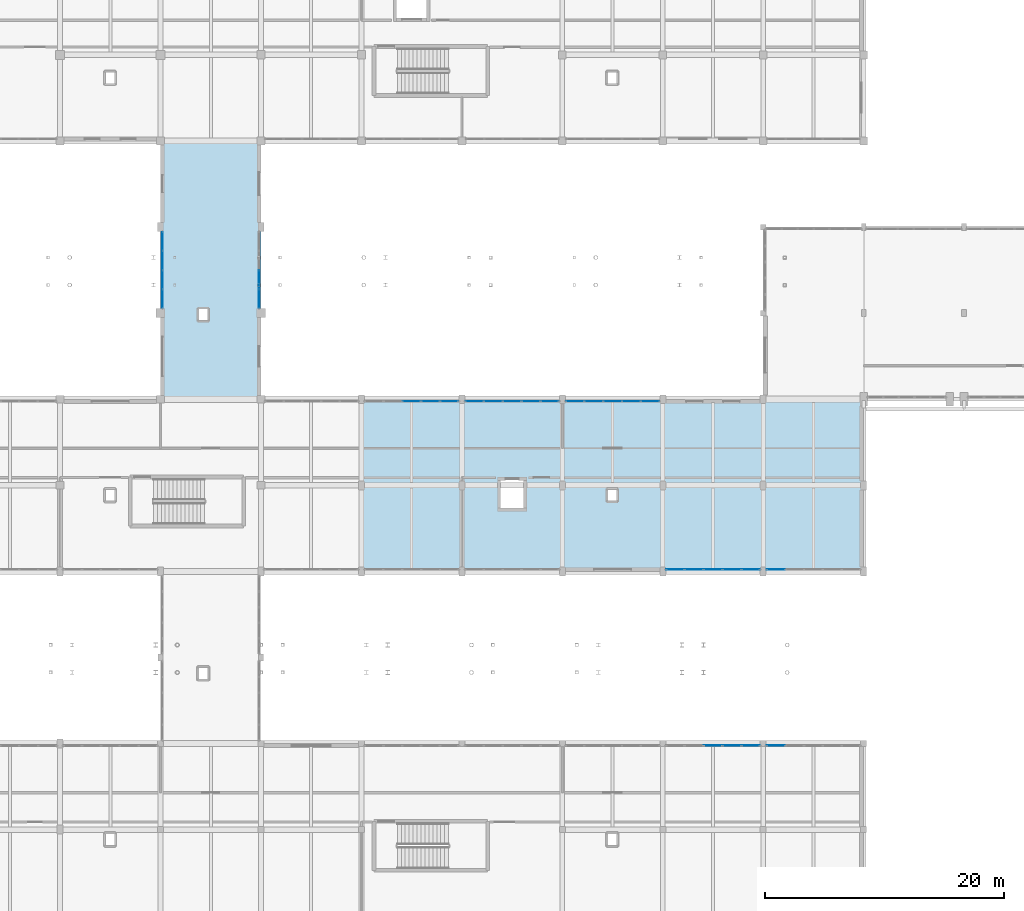
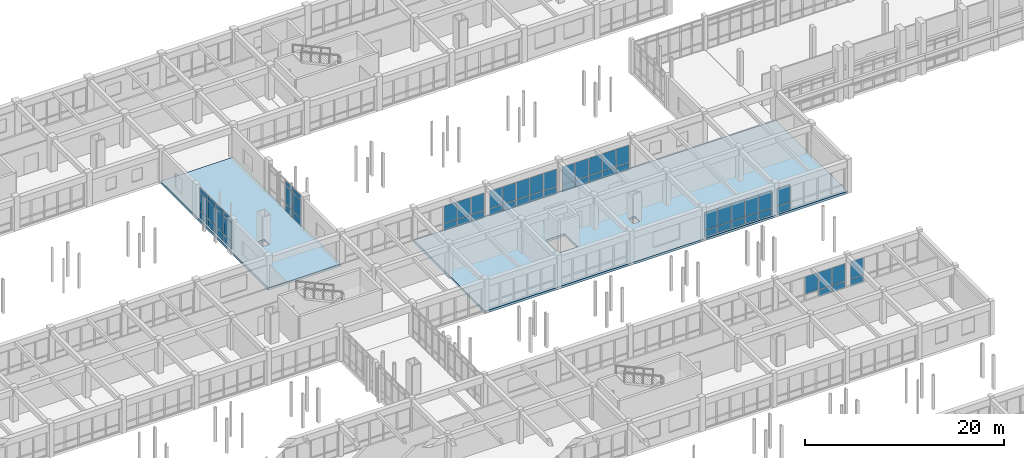
# One storey, part 112 of 147: 63 plates, 2 slabs, 9 elements without a shape of their own.
"""IFC4 building model written with IfcOpenShell, lengths in metres."""

import ifcopenshell
import ifcopenshell.guid

model = None  # the IFC model being written
_history = None  # IfcOwnerHistory: only IFC2X3 demands one
_inside = {}  # id of a spatial element -> (the spatial element, [elements in it])
_under = {}  # id of a project, library or spatial element -> (it, [spatial elements below it])
_declared = {}  # id of a project -> (the project, [libraries it declares])
_typed = {}  # id of a type object -> (the type object, [elements of that type])
_made_of = {}  # id of a material, layer set ... -> (it, [elements and type objects made of it])


def new_model(schema):
    """Start an empty IFC model of exactly this schema.

    Asked for "IFC4X3", IfcOpenShell would pick the latest addendum, in which some entities
    have other attributes; the version numbers below select the first issue.
    IFC2X3 requires an IfcOwnerHistory on every rooted entity: one is made here for all.
    """
    global model, _history
    if schema == "IFC4X3":
        model = ifcopenshell.file(schema_version=(4, 3, 0, 0))
    else:
        model = ifcopenshell.file(schema=schema)
    _inside.clear()
    _under.clear()
    _declared.clear()
    _typed.clear()
    _made_of.clear()
    _history = None
    if model.schema == "IFC2X3":
        org = make("IfcOrganization", Name="unknown")
        user = make(
            "IfcPersonAndOrganization",
            ThePerson=make("IfcPerson", FamilyName="unknown"),
            TheOrganization=org,
        )
        app = make(
            "IfcApplication",
            ApplicationDeveloper=org,
            Version="unknown",
            ApplicationFullName="unknown",
            ApplicationIdentifier="unknown",
        )
        _history = make(
            "IfcOwnerHistory",
            OwningUser=user,
            OwningApplication=app,
            ChangeAction="ADDED",
            CreationDate=0,
        )
    return model


def make(cls, **values):
    """One entity of the class cls with the attributes given. An attribute that is None is left unset."""
    return model.create_entity(
        cls, **{name: value for name, value in values.items() if value is not None}
    )


def rooted(cls, **values):
    """An entity with a GlobalId (a new one), such as an element, a storey or a relation."""
    return make(cls, GlobalId=ifcopenshell.guid.new(), OwnerHistory=_history, **values)


def si_unit(unit_type, name, prefix=None):
    """IfcSIUnit, for example si_unit("LENGTHUNIT", "METRE", prefix="MILLI")."""
    return make("IfcSIUnit", UnitType=unit_type, Prefix=prefix, Name=name)


def assignment(units):
    """IfcUnitAssignment: the units of a project."""
    return None if units is None else make("IfcUnitAssignment", Units=units)


def point(xyz):
    """IfcCartesianPoint."""
    return None if xyz is None else make("IfcCartesianPoint", Coordinates=xyz)


def direction(xyz):
    """IfcDirection."""
    return None if xyz is None else make("IfcDirection", DirectionRatios=xyz)


def frame(location, z_axis=None, x_axis=None):
    """IfcAxis2Placement3D, a coordinate frame: its origin and axes. An axis left out is left unset."""
    return make(
        "IfcAxis2Placement3D",
        Location=point(location),
        Axis=direction(z_axis),
        RefDirection=direction(x_axis),
    )


def frame_2d(location, x_axis=None):
    """IfcAxis2Placement2D, a coordinate frame in the plane: its origin and x axis."""
    return make(
        "IfcAxis2Placement2D", Location=point(location), RefDirection=direction(x_axis)
    )


def origin():
    """The frame at (0, 0, 0) with its axes left unset."""
    return frame((0.0, 0.0, 0.0))


def origin_2d():
    """The frame at (0, 0) in the plane with its x axis left unset."""
    return frame_2d((0.0, 0.0))


def place(relative_to, where):
    """IfcLocalPlacement: puts the frame where relative to a parent placement (None: the world)."""
    return make(
        "IfcLocalPlacement", PlacementRelTo=relative_to, RelativePlacement=where
    )


def context(
    kind, dimensions, precision=None, world=None, true_north=None, identifier=None
):
    """IfcGeometricRepresentationContext, for example the 3D "Model" context."""
    return make(
        "IfcGeometricRepresentationContext",
        ContextIdentifier=identifier,
        ContextType=kind,
        CoordinateSpaceDimension=dimensions,
        Precision=precision,
        WorldCoordinateSystem=world,
        TrueNorth=true_north,
    )


def subcontext(parent, identifier, kind, view, scale=None):
    """IfcGeometricRepresentationSubContext, for example "Body" below "Model"."""
    return make(
        "IfcGeometricRepresentationSubContext",
        ContextIdentifier=identifier,
        ContextType=kind,
        ParentContext=parent,
        TargetScale=scale,
        TargetView=view,
    )


def project(units=None, contexts=None):
    """IfcProject with its units and contexts."""
    return rooted(
        "IfcProject",
        Name="project",
        RepresentationContexts=contexts,
        UnitsInContext=assignment(units),
    )


def spatial(cls, under=None, at=None, **own):
    """A site, building, storey or space (cls), placed at a placement, below another one or the project."""
    s = rooted(cls, ObjectPlacement=at, **own)
    if under is not None:
        _under.setdefault(under.id(), (under, []))[1].append(s)
    return s


def polyline(points):
    """IfcPolyline through the points."""
    return make("IfcPolyline", Points=[point(p) for p in points])


def profile(cls, at=None, kind="AREA", **sizes):
    """A parametric profile (cls). Its sizes go by their IFC names, for example OverallWidth=200.0."""
    return make(cls, ProfileType=kind, Position=at, **sizes)


def rectangle(**sizes):
    """IfcRectangleProfileDef."""
    return profile("IfcRectangleProfileDef", **sizes)


def outline(outer, holes=None, kind="AREA"):
    """IfcArbitraryClosedProfileDef: a profile drawn as a closed curve; with holes, ...WithVoids."""
    if holes is None:
        return make("IfcArbitraryClosedProfileDef", ProfileType=kind, OuterCurve=outer)
    return make(
        "IfcArbitraryProfileDefWithVoids",
        ProfileType=kind,
        OuterCurve=outer,
        InnerCurves=holes,
    )


def extrude(swept, where, along, depth):
    """IfcExtrudedAreaSolid: the profile swept, set in the frame where, extruded along a direction by depth."""
    return make(
        "IfcExtrudedAreaSolid",
        SweptArea=swept,
        Position=where,
        ExtrudedDirection=direction(along),
        Depth=depth,
    )


def shape(context_of_items, identifier, shape_type, items):
    """IfcShapeRepresentation: the items that make up one representation, for example the "Body"."""
    return make(
        "IfcShapeRepresentation",
        ContextOfItems=context_of_items,
        RepresentationIdentifier=identifier,
        RepresentationType=shape_type,
        Items=items,
    )


def material(Name=None, Category=None):
    """IfcMaterial."""
    return make("IfcMaterial", Name=Name, Category=Category)


def layer(
    of_material, thickness, ventilated=None, Name=None, Category=None, Priority=None
):
    """IfcMaterialLayer: one layer of a wall or slab, of a material (None: an air gap)."""
    return make(
        "IfcMaterialLayer",
        Material=of_material,
        LayerThickness=thickness,
        IsVentilated=ventilated,
        Name=Name,
        Category=Category,
        Priority=Priority,
    )


def layer_set(layers, Name=None):
    """IfcMaterialLayerSet."""
    return make("IfcMaterialLayerSet", MaterialLayers=layers, LayerSetName=Name)


def made_of(thing, what):
    """Note that an element or type object is made of a material, layer set ...; save() writes the relation."""
    if what is not None:
        _made_of.setdefault(what.id(), (what, []))[1].append(thing)
    return thing


def type_object(cls, material=None, **own):
    """A type object (cls), such as IfcWallType, which elements share."""
    return made_of(rooted(cls, **own), material)


def element(
    cls,
    number,
    at=None,
    inside=None,
    cuts=None,
    type_object=None,
    material=None,
    context=None,
    identifier="Body",
    shape_type=None,
    held_by="IfcProductDefinitionShape",
    body=None,
    shapes=None,
    **own,
):
    """One element of the class cls, such as IfcWall. Its Tag is "e" and its number.

    at: its placement. inside: the storey or other place that contains it. cuts: it is an
    opening in that element (IfcRelVoidsElement). A single representation is given by context,
    identifier, shape_type and body (its items); several are given by shapes. held_by: the class
    of the entity that holds the representations. save() writes the other relations.
    """
    e = rooted(cls, Tag="e%d" % number, ObjectPlacement=at, **own)
    if body is not None:
        shapes = [shape(context, identifier, shape_type, body)]
    if shapes is not None:
        e.Representation = make(held_by, Representations=shapes)
    if inside is not None:
        _inside.setdefault(inside.id(), (inside, []))[1].append(e)
    if cuts is not None:
        rooted(
            "IfcRelVoidsElement", RelatingBuildingElement=cuts, RelatedOpeningElement=e
        )
    if type_object is not None:
        _typed.setdefault(type_object.id(), (type_object, []))[1].append(e)
    return made_of(e, material)


def aggregate(whole, parts):
    """IfcRelAggregates: a whole, such as a stair, and the parts it consists of."""
    return rooted("IfcRelAggregates", RelatingObject=whole, RelatedObjects=parts)


def save(model, path):
    """Write the relations noted so far, then the file.

    IfcRelAggregates (storeys below a building ...), IfcRelContainedInSpatialStructure (elements
    in a storey), IfcRelDefinesByType, IfcRelAssociatesMaterial and IfcRelDeclares: one each for
    every whole, place, type object, material and project.
    """
    for whole, parts in _under.values():
        aggregate(whole, parts)
    for where, things in _inside.values():
        rooted(
            "IfcRelContainedInSpatialStructure",
            RelatedElements=things,
            RelatingStructure=where,
        )
    for kind, things in _typed.values():
        rooted("IfcRelDefinesByType", RelatedObjects=things, RelatingType=kind)
    for what, things in _made_of.values():
        rooted("IfcRelAssociatesMaterial", RelatedObjects=things, RelatingMaterial=what)
    for by, libraries in _declared.values():
        rooted("IfcRelDeclares", RelatingContext=by, RelatedDefinitions=libraries)
    model.write(path)


model = new_model("IFC4")

# Units and contexts
model_context = context("Model", 3, precision=1e-05, world=origin(), true_north=direction((0.0, 1.0)))
body_context = subcontext(model_context, "Body", "Model", "MODEL_VIEW")
ifc_project = project(units=[si_unit("LENGTHUNIT", "METRE"), si_unit("AREAUNIT", "SQUARE_METRE"), si_unit("VOLUMEUNIT", "CUBIC_METRE"), si_unit("PLANEANGLEUNIT", "RADIAN"), si_unit("MASSUNIT", "GRAM", prefix="KILO")], contexts=[model_context])

# Site, building, storey
site_placement = place(None, origin())
site = spatial("IfcSite", under=ifc_project, at=site_placement, CompositionType="ELEMENT")
building_placement = place(site_placement, origin())
building = spatial("IfcBuilding", under=site, at=building_placement, Name="Malvenik Polytechnic", CompositionType="ELEMENT")
storey_placement = place(building_placement, frame((0.0, 0.0, 5.10009765625)))
storey = spatial("IfcBuildingStorey", under=building, at=storey_placement, Name="L01", CompositionType="ELEMENT", Elevation=5.10009765625)

# Curtain wall, plates
ifc_material_1 = material(Name="Anodised aluminium 6060-T6", Category="aluminium")
curtain_wall_type_1 = type_object("IfcCurtainWallType", Name="ARC-CW-CW-04", PredefinedType="NOTDEFINED", material=ifc_material_1)
curtain_wall_1_placement = place(storey_placement, origin())
curtain_wall_1 = element("IfcCurtainWall", 1, at=curtain_wall_1_placement, inside=storey, type_object=curtain_wall_type_1, Name="Unitised Curtain Wall CW-04 L01 #38", PredefinedType="NOTDEFINED")
ifc_material_2 = material(Name="Insulated low-E double glazing 8-16-8", Category="glass")
ifc_layer_1 = layer(ifc_material_2, 0.028076171875)
ifc_layer_set_1 = layer_set([ifc_layer_1], Name="Insulated low-E double glazing 8-16-8")
plate_type_1 = type_object("IfcPlateType", Name="ARC-CWP-CP-GLZ28", PredefinedType="CURTAIN_PANEL", material=ifc_layer_set_1)
plate_1_placement = place(storey_placement, frame((75.77001953125, 101.99462890625, 0.97998046875), z_axis=(0.0, 0.0, 1.0), x_axis=(0.0, 1.0, 0.0)))
plate_1 = element("IfcPlate", 2, at=plate_1_placement, type_object=plate_type_1, Name="CW-04 panel 1.2", PredefinedType="CURTAIN_PANEL", context=body_context, shape_type="SweptSolid", body=[
    extrude(rectangle(XDim=1.5234375, YDim=0.028076171875, at=origin_2d()), origin(), (0.0, 0.0, 1.0), 2.199951171875),
])
plate_2_placement = place(storey_placement, frame((75.77001953125, 101.99462890625, 3.239990234375), z_axis=(0.0, 0.0, 1.0), x_axis=(0.0, 1.0, 0.0)))
plate_2 = element("IfcPlate", 3, at=plate_2_placement, type_object=plate_type_1, Name="CW-04 panel 1.3", PredefinedType="CURTAIN_PANEL", context=body_context, shape_type="SweptSolid", body=[
    extrude(rectangle(XDim=1.5234375, YDim=0.028076171875, at=origin_2d()), origin(), (0.0, 0.0, 1.0), 0.56005859375),
])
plate_3_placement = place(storey_placement, frame((75.77001953125, 103.59326171875, 0.97998046875), z_axis=(0.0, 0.0, 1.0), x_axis=(0.0, 1.0, 0.0)))
plate_3 = element("IfcPlate", 4, at=plate_3_placement, type_object=plate_type_1, Name="CW-04 panel 2.2", PredefinedType="CURTAIN_PANEL", context=body_context, shape_type="SweptSolid", body=[
    extrude(rectangle(XDim=1.553466796875, YDim=0.028076171875, at=origin_2d()), origin(), (0.0, 0.0, 1.0), 2.199951171875),
])
plate_4_placement = place(storey_placement, frame((75.77001953125, 103.59326171875, 3.239990234375), z_axis=(0.0, 0.0, 1.0), x_axis=(0.0, 1.0, 0.0)))
plate_4 = element("IfcPlate", 5, at=plate_4_placement, type_object=plate_type_1, Name="CW-04 panel 2.3", PredefinedType="CURTAIN_PANEL", context=body_context, shape_type="SweptSolid", body=[
    extrude(rectangle(XDim=1.553466796875, YDim=0.028076171875, at=origin_2d()), origin(), (0.0, 0.0, 1.0), 0.56005859375),
])
plate_5_placement = place(storey_placement, frame((75.77001953125, 105.206787109375, 0.97998046875), z_axis=(0.0, 0.0, 1.0), x_axis=(0.0, 1.0, 0.0)))
plate_5 = element("IfcPlate", 6, at=plate_5_placement, type_object=plate_type_1, Name="CW-04 panel 3.2", PredefinedType="CURTAIN_PANEL", context=body_context, shape_type="SweptSolid", body=[
    extrude(rectangle(XDim=1.553466796875, YDim=0.028076171875, at=origin_2d()), origin(), (0.0, 0.0, 1.0), 2.199951171875),
])
plate_6_placement = place(storey_placement, frame((75.77001953125, 105.206787109375, 3.239990234375), z_axis=(0.0, 0.0, 1.0), x_axis=(0.0, 1.0, 0.0)))
plate_6 = element("IfcPlate", 7, at=plate_6_placement, type_object=plate_type_1, Name="CW-04 panel 3.3", PredefinedType="CURTAIN_PANEL", context=body_context, shape_type="SweptSolid", body=[
    extrude(rectangle(XDim=1.553466796875, YDim=0.028076171875, at=origin_2d()), origin(), (0.0, 0.0, 1.0), 0.56005859375),
])
plate_7_placement = place(storey_placement, frame((75.77001953125, 106.80517578125, 0.97998046875), z_axis=(0.0, 0.0, 1.0), x_axis=(0.0, 1.0, 0.0)))
plate_7 = element("IfcPlate", 8, at=plate_7_placement, type_object=plate_type_1, Name="CW-04 panel 4.2", PredefinedType="CURTAIN_PANEL", context=body_context, shape_type="SweptSolid", body=[
    extrude(rectangle(XDim=1.5234375, YDim=0.028076171875, at=origin_2d()), origin(), (0.0, 0.0, 1.0), 2.199951171875),
])
plate_8_placement = place(storey_placement, frame((75.77001953125, 106.80517578125, 3.239990234375), z_axis=(0.0, 0.0, 1.0), x_axis=(0.0, 1.0, 0.0)))
plate_8 = element("IfcPlate", 9, at=plate_8_placement, type_object=plate_type_1, Name="CW-04 panel 4.3", PredefinedType="CURTAIN_PANEL", context=body_context, shape_type="SweptSolid", body=[
    extrude(rectangle(XDim=1.5234375, YDim=0.028076171875, at=origin_2d()), origin(), (0.0, 0.0, 1.0), 0.56005859375),
])

curtain_wall_2_placement = place(storey_placement, origin())
curtain_wall_2 = element("IfcCurtainWall", 10, at=curtain_wall_2_placement, inside=storey, type_object=curtain_wall_type_1, Name="Unitised Curtain Wall CW-04 L01 #58", PredefinedType="NOTDEFINED")
plate_9_placement = place(storey_placement, frame((83.830078125, 103.59326171875, 0.97998046875), z_axis=(0.0, 0.0, 1.0), x_axis=(0.0, -1.0, 0.0)))
plate_9 = element("IfcPlate", 11, at=plate_9_placement, type_object=plate_type_1, Name="CW-04 panel 3.2", PredefinedType="CURTAIN_PANEL", context=body_context, shape_type="SweptSolid", body=[
    extrude(rectangle(XDim=1.553466796875, YDim=0.028076171875, at=origin_2d()), origin(), (0.0, 0.0, 1.0), 2.199951171875),
])
plate_10_placement = place(storey_placement, frame((83.830078125, 103.59326171875, 3.239990234375), z_axis=(0.0, 0.0, 1.0), x_axis=(0.0, -1.0, 0.0)))
plate_10 = element("IfcPlate", 12, at=plate_10_placement, type_object=plate_type_1, Name="CW-04 panel 3.3", PredefinedType="CURTAIN_PANEL", context=body_context, shape_type="SweptSolid", body=[
    extrude(rectangle(XDim=1.553466796875, YDim=0.028076171875, at=origin_2d()), origin(), (0.0, 0.0, 1.0), 0.56005859375),
])
plate_11_placement = place(storey_placement, frame((83.830078125, 101.99462890625, 0.97998046875), z_axis=(0.0, 0.0, 1.0), x_axis=(0.0, -1.0, 0.0)))
plate_11 = element("IfcPlate", 13, at=plate_11_placement, type_object=plate_type_1, Name="CW-04 panel 4.2", PredefinedType="CURTAIN_PANEL", context=body_context, shape_type="SweptSolid", body=[
    extrude(rectangle(XDim=1.5234375, YDim=0.028076171875, at=origin_2d()), origin(), (0.0, 0.0, 1.0), 2.199951171875),
])
plate_12_placement = place(storey_placement, frame((83.830078125, 101.99462890625, 3.239990234375), z_axis=(0.0, 0.0, 1.0), x_axis=(0.0, -1.0, 0.0)))
plate_12 = element("IfcPlate", 14, at=plate_12_placement, type_object=plate_type_1, Name="CW-04 panel 4.3", PredefinedType="CURTAIN_PANEL", context=body_context, shape_type="SweptSolid", body=[
    extrude(rectangle(XDim=1.5234375, YDim=0.028076171875, at=origin_2d()), origin(), (0.0, 0.0, 1.0), 0.56005859375),
])

curtain_wall_type_2 = type_object("IfcCurtainWallType", Name="ARC-CW-CW-02", PredefinedType="NOTDEFINED", material=ifc_material_1)
curtain_wall_3_placement = place(storey_placement, origin())
curtain_wall_3 = element("IfcCurtainWall", 15, at=curtain_wall_3_placement, inside=storey, type_object=curtain_wall_type_2, Name="Unitised Curtain Wall CW-02 L01 #60", PredefinedType="NOTDEFINED")
plate_13_placement = place(storey_placement, frame((96.60009765625, 93.429931640625, 0.929931640625), z_axis=(0.0, 0.0, 1.0), x_axis=(1.0, 0.0, 0.0)))
plate_13 = element("IfcPlate", 16, at=plate_13_placement, type_object=plate_type_1, Name="CW-02 panel 3.2", PredefinedType="CURTAIN_PANEL", context=body_context, shape_type="SweptSolid", body=[
    extrude(rectangle(XDim=1.520751953125, YDim=0.028076171875, at=origin_2d()), origin(), (0.0, 0.0, 1.0), 2.1201171875),
])
plate_14_placement = place(storey_placement, frame((98.180908203125, 93.429931640625, 0.929931640625), z_axis=(0.0, 0.0, 1.0), x_axis=(1.0, 0.0, 0.0)))
plate_14 = element("IfcPlate", 17, at=plate_14_placement, type_object=plate_type_1, Name="CW-02 panel 4.2", PredefinedType="CURTAIN_PANEL", context=body_context, shape_type="SweptSolid", body=[
    extrude(rectangle(XDim=1.520751953125, YDim=0.028076171875, at=origin_2d()), origin(), (0.0, 0.0, 1.0), 2.1201171875),
])
plate_15_placement = place(storey_placement, frame((99.74658203125, 93.429931640625, 0.929931640625), z_axis=(0.0, 0.0, 1.0), x_axis=(1.0, 0.0, 0.0)))
plate_15 = element("IfcPlate", 18, at=plate_15_placement, type_object=plate_type_1, Name="CW-02 panel 5.2", PredefinedType="CURTAIN_PANEL", context=body_context, shape_type="SweptSolid", body=[
    extrude(rectangle(XDim=1.49072265625, YDim=0.028076171875, at=origin_2d()), origin(), (0.0, 0.0, 1.0), 2.1201171875),
])

curtain_wall_4_placement = place(storey_placement, origin())
curtain_wall_4 = element("IfcCurtainWall", 19, at=curtain_wall_4_placement, inside=storey, type_object=curtain_wall_type_2, Name="Unitised Curtain Wall CW-02 L01 #61", PredefinedType="NOTDEFINED")
plate_16_placement = place(storey_placement, frame((101.853515625, 93.429931640625, 0.929931640625), z_axis=(0.0, 0.0, 1.0), x_axis=(1.0, 0.0, 0.0)))
plate_16 = element("IfcPlate", 20, at=plate_16_placement, type_object=plate_type_1, Name="CW-02 panel 1.2", PredefinedType="CURTAIN_PANEL", context=body_context, shape_type="SweptSolid", body=[
    extrude(rectangle(XDim=1.49072265625, YDim=0.028076171875, at=origin_2d()), origin(), (0.0, 0.0, 1.0), 2.1201171875),
])
plate_17_placement = place(storey_placement, frame((103.419189453125, 93.429931640625, 0.929931640625), z_axis=(0.0, 0.0, 1.0), x_axis=(1.0, 0.0, 0.0)))
plate_17 = element("IfcPlate", 21, at=plate_17_placement, type_object=plate_type_1, Name="CW-02 panel 2.2", PredefinedType="CURTAIN_PANEL", context=body_context, shape_type="SweptSolid", body=[
    extrude(rectangle(XDim=1.520751953125, YDim=0.028076171875, at=origin_2d()), origin(), (0.0, 0.0, 1.0), 2.1201171875),
])
plate_18_placement = place(storey_placement, frame((105.0, 93.429931640625, 0.929931640625), z_axis=(0.0, 0.0, 1.0), x_axis=(1.0, 0.0, 0.0)))
plate_18 = element("IfcPlate", 22, at=plate_18_placement, type_object=plate_type_1, Name="CW-02 panel 3.2", PredefinedType="CURTAIN_PANEL", context=body_context, shape_type="SweptSolid", body=[
    extrude(rectangle(XDim=1.520751953125, YDim=0.028076171875, at=origin_2d()), origin(), (0.0, 0.0, 1.0), 2.1201171875),
])
plate_19_placement = place(storey_placement, frame((106.580810546875, 93.429931640625, 0.929931640625), z_axis=(0.0, 0.0, 1.0), x_axis=(1.0, 0.0, 0.0)))
plate_19 = element("IfcPlate", 23, at=plate_19_placement, type_object=plate_type_1, Name="CW-02 panel 4.2", PredefinedType="CURTAIN_PANEL", context=body_context, shape_type="SweptSolid", body=[
    extrude(rectangle(XDim=1.520751953125, YDim=0.028076171875, at=origin_2d()), origin(), (0.0, 0.0, 1.0), 2.1201171875),
])
plate_20_placement = place(storey_placement, frame((108.146484375, 93.429931640625, 0.929931640625), z_axis=(0.0, 0.0, 1.0), x_axis=(1.0, 0.0, 0.0)))
plate_20 = element("IfcPlate", 24, at=plate_20_placement, type_object=plate_type_1, Name="CW-02 panel 5.2", PredefinedType="CURTAIN_PANEL", context=body_context, shape_type="SweptSolid", body=[
    extrude(rectangle(XDim=1.49072265625, YDim=0.028076171875, at=origin_2d()), origin(), (0.0, 0.0, 1.0), 2.1201171875),
])

curtain_wall_5_placement = place(storey_placement, origin())
curtain_wall_5 = element("IfcCurtainWall", 25, at=curtain_wall_5_placement, inside=storey, type_object=curtain_wall_type_2, Name="Unitised Curtain Wall CW-02 L01 #62", PredefinedType="NOTDEFINED")
plate_21_placement = place(storey_placement, frame((110.25341796875, 93.429931640625, 0.929931640625), z_axis=(0.0, 0.0, 1.0), x_axis=(1.0, 0.0, 0.0)))
plate_21 = element("IfcPlate", 26, at=plate_21_placement, type_object=plate_type_1, Name="CW-02 panel 1.2", PredefinedType="CURTAIN_PANEL", context=body_context, shape_type="SweptSolid", body=[
    extrude(rectangle(XDim=1.49072265625, YDim=0.028076171875, at=origin_2d()), origin(), (0.0, 0.0, 1.0), 2.1201171875),
])
plate_22_placement = place(storey_placement, frame((111.819091796875, 93.429931640625, 0.929931640625), z_axis=(0.0, 0.0, 1.0), x_axis=(1.0, 0.0, 0.0)))
plate_22 = element("IfcPlate", 27, at=plate_22_placement, type_object=plate_type_1, Name="CW-02 panel 2.2", PredefinedType="CURTAIN_PANEL", context=body_context, shape_type="SweptSolid", body=[
    extrude(rectangle(XDim=1.520751953125, YDim=0.028076171875, at=origin_2d()), origin(), (0.0, 0.0, 1.0), 2.1201171875),
])
plate_23_placement = place(storey_placement, frame((113.39990234375, 93.429931640625, 0.929931640625), z_axis=(0.0, 0.0, 1.0), x_axis=(1.0, 0.0, 0.0)))
plate_23 = element("IfcPlate", 28, at=plate_23_placement, type_object=plate_type_1, Name="CW-02 panel 3.2", PredefinedType="CURTAIN_PANEL", context=body_context, shape_type="SweptSolid", body=[
    extrude(rectangle(XDim=1.520751953125, YDim=0.028076171875, at=origin_2d()), origin(), (0.0, 0.0, 1.0), 2.1201171875),
])
plate_24_placement = place(storey_placement, frame((114.980712890625, 93.429931640625, 0.929931640625), z_axis=(0.0, 0.0, 1.0), x_axis=(1.0, 0.0, 0.0)))
plate_24 = element("IfcPlate", 29, at=plate_24_placement, type_object=plate_type_1, Name="CW-02 panel 4.2", PredefinedType="CURTAIN_PANEL", context=body_context, shape_type="SweptSolid", body=[
    extrude(rectangle(XDim=1.520751953125, YDim=0.028076171875, at=origin_2d()), origin(), (0.0, 0.0, 1.0), 2.1201171875),
])
plate_25_placement = place(storey_placement, frame((116.546630859375, 93.429931640625, 0.929931640625), z_axis=(0.0, 0.0, 1.0), x_axis=(1.0, 0.0, 0.0)))
plate_25 = element("IfcPlate", 30, at=plate_25_placement, type_object=plate_type_1, Name="CW-02 panel 5.2", PredefinedType="CURTAIN_PANEL", context=body_context, shape_type="SweptSolid", body=[
    extrude(rectangle(XDim=1.49072265625, YDim=0.028076171875, at=origin_2d()), origin(), (0.0, 0.0, 1.0), 2.1201171875),
])

# Curtain wall, plate
curtain_wall_6_placement = place(storey_placement, origin())
curtain_wall_6 = element("IfcCurtainWall", 31, at=curtain_wall_6_placement, inside=storey, type_object=curtain_wall_type_2, Name="Unitised Curtain Wall CW-02 L01 #77", PredefinedType="NOTDEFINED")
plate_26_placement = place(storey_placement, frame((127.053466796875, 79.3701171875, 0.929931640625), z_axis=(0.0, 0.0, 1.0), x_axis=(-1.0, 0.0, 0.0)))
plate_26 = element("IfcPlate", 32, at=plate_26_placement, type_object=plate_type_1, Name="CW-02 panel 5.2", PredefinedType="CURTAIN_PANEL", context=body_context, shape_type="SweptSolid", body=[
    extrude(rectangle(XDim=1.49072265625, YDim=0.028076171875, at=origin_2d()), origin(), (0.0, 0.0, 1.0), 2.1201171875),
])

# Curtain wall, plates
curtain_wall_7_placement = place(storey_placement, origin())
curtain_wall_7 = element("IfcCurtainWall", 33, at=curtain_wall_7_placement, inside=storey, type_object=curtain_wall_type_2, Name="Unitised Curtain Wall CW-02 L01 #78", PredefinedType="NOTDEFINED")
plate_27_placement = place(storey_placement, frame((124.946533203125, 79.3701171875, 0.929931640625), z_axis=(0.0, 0.0, 1.0), x_axis=(-1.0, 0.0, 0.0)))
plate_27 = element("IfcPlate", 34, at=plate_27_placement, type_object=plate_type_1, Name="CW-02 panel 1.2", PredefinedType="CURTAIN_PANEL", context=body_context, shape_type="SweptSolid", body=[
    extrude(rectangle(XDim=1.49072265625, YDim=0.028076171875, at=origin_2d()), origin(), (0.0, 0.0, 1.0), 2.1201171875),
])
plate_28_placement = place(storey_placement, frame((123.380859375, 79.3701171875, 0.929931640625), z_axis=(0.0, 0.0, 1.0), x_axis=(-1.0, 0.0, 0.0)))
plate_28 = element("IfcPlate", 35, at=plate_28_placement, type_object=plate_type_1, Name="CW-02 panel 2.2", PredefinedType="CURTAIN_PANEL", context=body_context, shape_type="SweptSolid", body=[
    extrude(rectangle(XDim=1.520751953125, YDim=0.028076171875, at=origin_2d()), origin(), (0.0, 0.0, 1.0), 2.1201171875),
])
plate_29_placement = place(storey_placement, frame((121.800048828125, 79.3701171875, 0.929931640625), z_axis=(0.0, 0.0, 1.0), x_axis=(-1.0, 0.0, 0.0)))
plate_29 = element("IfcPlate", 36, at=plate_29_placement, type_object=plate_type_1, Name="CW-02 panel 3.2", PredefinedType="CURTAIN_PANEL", context=body_context, shape_type="SweptSolid", body=[
    extrude(rectangle(XDim=1.520751953125, YDim=0.028076171875, at=origin_2d()), origin(), (0.0, 0.0, 1.0), 2.1201171875),
])
plate_30_placement = place(storey_placement, frame((120.21923828125, 79.3701171875, 0.929931640625), z_axis=(0.0, 0.0, 1.0), x_axis=(-1.0, 0.0, 0.0)))
plate_30 = element("IfcPlate", 37, at=plate_30_placement, type_object=plate_type_1, Name="CW-02 panel 4.2", PredefinedType="CURTAIN_PANEL", context=body_context, shape_type="SweptSolid", body=[
    extrude(rectangle(XDim=1.520751953125, YDim=0.028076171875, at=origin_2d()), origin(), (0.0, 0.0, 1.0), 2.1201171875),
])
plate_31_placement = place(storey_placement, frame((118.6533203125, 79.3701171875, 0.929931640625), z_axis=(0.0, 0.0, 1.0), x_axis=(-1.0, 0.0, 0.0)))
plate_31 = element("IfcPlate", 38, at=plate_31_placement, type_object=plate_type_1, Name="CW-02 panel 5.2", PredefinedType="CURTAIN_PANEL", context=body_context, shape_type="SweptSolid", body=[
    extrude(rectangle(XDim=1.49072265625, YDim=0.028076171875, at=origin_2d()), origin(), (0.0, 0.0, 1.0), 2.1201171875),
])

curtain_wall_8_placement = place(storey_placement, origin())
curtain_wall_8 = element("IfcCurtainWall", 39, at=curtain_wall_8_placement, inside=storey, type_object=curtain_wall_type_2, Name="Unitised Curtain Wall CW-02 L01 #87", PredefinedType="NOTDEFINED")
plate_32_placement = place(storey_placement, frame((121.800048828125, 64.6298828125, 0.929931640625), z_axis=(0.0, 0.0, 1.0), x_axis=(1.0, 0.0, 0.0)))
plate_32 = element("IfcPlate", 40, at=plate_32_placement, type_object=plate_type_1, Name="CW-02 panel 3.2", PredefinedType="CURTAIN_PANEL", context=body_context, shape_type="SweptSolid", body=[
    extrude(rectangle(XDim=1.520751953125, YDim=0.028076171875, at=origin_2d()), origin(), (0.0, 0.0, 1.0), 2.1201171875),
])
plate_33_placement = place(storey_placement, frame((123.380859375, 64.6298828125, 0.929931640625), z_axis=(0.0, 0.0, 1.0), x_axis=(1.0, 0.0, 0.0)))
plate_33 = element("IfcPlate", 41, at=plate_33_placement, type_object=plate_type_1, Name="CW-02 panel 4.2", PredefinedType="CURTAIN_PANEL", context=body_context, shape_type="SweptSolid", body=[
    extrude(rectangle(XDim=1.520751953125, YDim=0.028076171875, at=origin_2d()), origin(), (0.0, 0.0, 1.0), 2.1201171875),
])
plate_34_placement = place(storey_placement, frame((124.946533203125, 64.6298828125, 0.929931640625), z_axis=(0.0, 0.0, 1.0), x_axis=(1.0, 0.0, 0.0)))
plate_34 = element("IfcPlate", 42, at=plate_34_placement, type_object=plate_type_1, Name="CW-02 panel 5.2", PredefinedType="CURTAIN_PANEL", context=body_context, shape_type="SweptSolid", body=[
    extrude(rectangle(XDim=1.49072265625, YDim=0.028076171875, at=origin_2d()), origin(), (0.0, 0.0, 1.0), 2.1201171875),
])

# Curtain wall, plate
curtain_wall_9_placement = place(storey_placement, origin())
curtain_wall_9 = element("IfcCurtainWall", 43, at=curtain_wall_9_placement, inside=storey, type_object=curtain_wall_type_2, Name="Unitised Curtain Wall CW-02 L01 #88", PredefinedType="NOTDEFINED")
plate_35_placement = place(storey_placement, frame((127.053466796875, 64.6298828125, 0.929931640625), z_axis=(0.0, 0.0, 1.0), x_axis=(1.0, 0.0, 0.0)))
plate_35 = element("IfcPlate", 44, at=plate_35_placement, type_object=plate_type_1, Name="CW-02 panel 1.2", PredefinedType="CURTAIN_PANEL", context=body_context, shape_type="SweptSolid", body=[
    extrude(rectangle(XDim=1.49072265625, YDim=0.028076171875, at=origin_2d()), origin(), (0.0, 0.0, 1.0), 2.1201171875),
])

# Plate
ifc_material_3 = material(Name="Insulated aluminium spandrel cassette 42mm", Category="aluminium")
ifc_layer_2 = layer(ifc_material_3, 0.0419921875)
ifc_layer_set_2 = layer_set([ifc_layer_2], Name="Insulated aluminium spandrel cassette 42mm")
plate_type_2 = type_object("IfcPlateType", Name="ARC-CWP-CP-SPN42", PredefinedType="CURTAIN_PANEL", material=ifc_layer_set_2)
plate_36_placement = place(storey_placement, frame((75.77001953125, 101.99462890625, 0.06005859375), z_axis=(0.0, 0.0, 1.0), x_axis=(0.0, 1.0, 0.0)))
plate_36 = element("IfcPlate", 45, at=plate_36_placement, type_object=plate_type_2, Name="CW-04 panel 1.1", PredefinedType="CURTAIN_PANEL", context=body_context, shape_type="SweptSolid", body=[
    extrude(rectangle(XDim=1.5234375, YDim=0.028076171875, at=origin_2d()), origin(), (0.0, 0.0, 1.0), 0.860107421875),
])

plate_37_placement = place(storey_placement, frame((75.77001953125, 103.59326171875, 0.06005859375), z_axis=(0.0, 0.0, 1.0), x_axis=(0.0, 1.0, 0.0)))
plate_37 = element("IfcPlate", 46, at=plate_37_placement, type_object=plate_type_2, Name="CW-04 panel 2.1", PredefinedType="CURTAIN_PANEL", context=body_context, shape_type="SweptSolid", body=[
    extrude(rectangle(XDim=1.553466796875, YDim=0.028076171875, at=origin_2d()), origin(), (0.0, 0.0, 1.0), 0.860107421875),
])

plate_38_placement = place(storey_placement, frame((75.77001953125, 105.206787109375, 0.06005859375), z_axis=(0.0, 0.0, 1.0), x_axis=(0.0, 1.0, 0.0)))
plate_38 = element("IfcPlate", 47, at=plate_38_placement, type_object=plate_type_2, Name="CW-04 panel 3.1", PredefinedType="CURTAIN_PANEL", context=body_context, shape_type="SweptSolid", body=[
    extrude(rectangle(XDim=1.553466796875, YDim=0.028076171875, at=origin_2d()), origin(), (0.0, 0.0, 1.0), 0.860107421875),
])

plate_39_placement = place(storey_placement, frame((75.77001953125, 106.80517578125, 0.06005859375), z_axis=(0.0, 0.0, 1.0), x_axis=(0.0, 1.0, 0.0)))
plate_39 = element("IfcPlate", 48, at=plate_39_placement, type_object=plate_type_2, Name="CW-04 panel 4.1", PredefinedType="CURTAIN_PANEL", context=body_context, shape_type="SweptSolid", body=[
    extrude(rectangle(XDim=1.5234375, YDim=0.028076171875, at=origin_2d()), origin(), (0.0, 0.0, 1.0), 0.860107421875),
])

aggregate(curtain_wall_1, [plate_36, plate_1, plate_2, plate_37, plate_3, plate_4, plate_38, plate_5, plate_6, plate_39, plate_7, plate_8])

plate_40_placement = place(storey_placement, frame((83.830078125, 103.59326171875, 0.06005859375), z_axis=(0.0, 0.0, 1.0), x_axis=(0.0, -1.0, 0.0)))
plate_40 = element("IfcPlate", 49, at=plate_40_placement, type_object=plate_type_2, Name="CW-04 panel 3.1", PredefinedType="CURTAIN_PANEL", context=body_context, shape_type="SweptSolid", body=[
    extrude(rectangle(XDim=1.553466796875, YDim=0.028076171875, at=origin_2d()), origin(), (0.0, 0.0, 1.0), 0.860107421875),
])

plate_41_placement = place(storey_placement, frame((83.830078125, 101.99462890625, 0.06005859375), z_axis=(0.0, 0.0, 1.0), x_axis=(0.0, -1.0, 0.0)))
plate_41 = element("IfcPlate", 50, at=plate_41_placement, type_object=plate_type_2, Name="CW-04 panel 4.1", PredefinedType="CURTAIN_PANEL", context=body_context, shape_type="SweptSolid", body=[
    extrude(rectangle(XDim=1.5234375, YDim=0.028076171875, at=origin_2d()), origin(), (0.0, 0.0, 1.0), 0.860107421875),
])

aggregate(curtain_wall_2, [plate_40, plate_9, plate_10, plate_41, plate_11, plate_12])

plate_42_placement = place(storey_placement, frame((96.60009765625, 93.429931640625, 0.059814453125), z_axis=(0.0, 0.0, 1.0), x_axis=(1.0, 0.0, 0.0)))
plate_42 = element("IfcPlate", 51, at=plate_42_placement, type_object=plate_type_2, Name="CW-02 panel 3.1", PredefinedType="CURTAIN_PANEL", context=body_context, shape_type="SweptSolid", body=[
    extrude(rectangle(XDim=1.520751953125, YDim=0.028076171875, at=origin_2d()), origin(), (0.0, 0.0, 1.0), 0.81005859375),
])

plate_43_placement = place(storey_placement, frame((98.180908203125, 93.429931640625, 0.059814453125), z_axis=(0.0, 0.0, 1.0), x_axis=(1.0, 0.0, 0.0)))
plate_43 = element("IfcPlate", 52, at=plate_43_placement, type_object=plate_type_2, Name="CW-02 panel 4.1", PredefinedType="CURTAIN_PANEL", context=body_context, shape_type="SweptSolid", body=[
    extrude(rectangle(XDim=1.520751953125, YDim=0.028076171875, at=origin_2d()), origin(), (0.0, 0.0, 1.0), 0.81005859375),
])

plate_44_placement = place(storey_placement, frame((99.74658203125, 93.429931640625, 0.059814453125), z_axis=(0.0, 0.0, 1.0), x_axis=(1.0, 0.0, 0.0)))
plate_44 = element("IfcPlate", 53, at=plate_44_placement, type_object=plate_type_2, Name="CW-02 panel 5.1", PredefinedType="CURTAIN_PANEL", context=body_context, shape_type="SweptSolid", body=[
    extrude(rectangle(XDim=1.49072265625, YDim=0.028076171875, at=origin_2d()), origin(), (0.0, 0.0, 1.0), 0.81005859375),
])

aggregate(curtain_wall_3, [plate_42, plate_13, plate_43, plate_14, plate_44, plate_15])

plate_45_placement = place(storey_placement, frame((101.853515625, 93.429931640625, 0.059814453125), z_axis=(0.0, 0.0, 1.0), x_axis=(1.0, 0.0, 0.0)))
plate_45 = element("IfcPlate", 54, at=plate_45_placement, type_object=plate_type_2, Name="CW-02 panel 1.1", PredefinedType="CURTAIN_PANEL", context=body_context, shape_type="SweptSolid", body=[
    extrude(rectangle(XDim=1.49072265625, YDim=0.028076171875, at=origin_2d()), origin(), (0.0, 0.0, 1.0), 0.81005859375),
])

plate_46_placement = place(storey_placement, frame((103.419189453125, 93.429931640625, 0.059814453125), z_axis=(0.0, 0.0, 1.0), x_axis=(1.0, 0.0, 0.0)))
plate_46 = element("IfcPlate", 55, at=plate_46_placement, type_object=plate_type_2, Name="CW-02 panel 2.1", PredefinedType="CURTAIN_PANEL", context=body_context, shape_type="SweptSolid", body=[
    extrude(rectangle(XDim=1.520751953125, YDim=0.028076171875, at=origin_2d()), origin(), (0.0, 0.0, 1.0), 0.81005859375),
])

plate_47_placement = place(storey_placement, frame((105.0, 93.429931640625, 0.059814453125), z_axis=(0.0, 0.0, 1.0), x_axis=(1.0, 0.0, 0.0)))
plate_47 = element("IfcPlate", 56, at=plate_47_placement, type_object=plate_type_2, Name="CW-02 panel 3.1", PredefinedType="CURTAIN_PANEL", context=body_context, shape_type="SweptSolid", body=[
    extrude(rectangle(XDim=1.520751953125, YDim=0.028076171875, at=origin_2d()), origin(), (0.0, 0.0, 1.0), 0.81005859375),
])

plate_48_placement = place(storey_placement, frame((106.580810546875, 93.429931640625, 0.059814453125), z_axis=(0.0, 0.0, 1.0), x_axis=(1.0, 0.0, 0.0)))
plate_48 = element("IfcPlate", 57, at=plate_48_placement, type_object=plate_type_2, Name="CW-02 panel 4.1", PredefinedType="CURTAIN_PANEL", context=body_context, shape_type="SweptSolid", body=[
    extrude(rectangle(XDim=1.520751953125, YDim=0.028076171875, at=origin_2d()), origin(), (0.0, 0.0, 1.0), 0.81005859375),
])

plate_49_placement = place(storey_placement, frame((108.146484375, 93.429931640625, 0.059814453125), z_axis=(0.0, 0.0, 1.0), x_axis=(1.0, 0.0, 0.0)))
plate_49 = element("IfcPlate", 58, at=plate_49_placement, type_object=plate_type_2, Name="CW-02 panel 5.1", PredefinedType="CURTAIN_PANEL", context=body_context, shape_type="SweptSolid", body=[
    extrude(rectangle(XDim=1.49072265625, YDim=0.028076171875, at=origin_2d()), origin(), (0.0, 0.0, 1.0), 0.81005859375),
])

aggregate(curtain_wall_4, [plate_45, plate_16, plate_46, plate_17, plate_47, plate_18, plate_48, plate_19, plate_49, plate_20])

plate_50_placement = place(storey_placement, frame((110.25341796875, 93.429931640625, 0.059814453125), z_axis=(0.0, 0.0, 1.0), x_axis=(1.0, 0.0, 0.0)))
plate_50 = element("IfcPlate", 59, at=plate_50_placement, type_object=plate_type_2, Name="CW-02 panel 1.1", PredefinedType="CURTAIN_PANEL", context=body_context, shape_type="SweptSolid", body=[
    extrude(rectangle(XDim=1.49072265625, YDim=0.028076171875, at=origin_2d()), origin(), (0.0, 0.0, 1.0), 0.81005859375),
])

plate_51_placement = place(storey_placement, frame((111.819091796875, 93.429931640625, 0.059814453125), z_axis=(0.0, 0.0, 1.0), x_axis=(1.0, 0.0, 0.0)))
plate_51 = element("IfcPlate", 60, at=plate_51_placement, type_object=plate_type_2, Name="CW-02 panel 2.1", PredefinedType="CURTAIN_PANEL", context=body_context, shape_type="SweptSolid", body=[
    extrude(rectangle(XDim=1.520751953125, YDim=0.028076171875, at=origin_2d()), origin(), (0.0, 0.0, 1.0), 0.81005859375),
])

plate_52_placement = place(storey_placement, frame((113.39990234375, 93.429931640625, 0.059814453125), z_axis=(0.0, 0.0, 1.0), x_axis=(1.0, 0.0, 0.0)))
plate_52 = element("IfcPlate", 61, at=plate_52_placement, type_object=plate_type_2, Name="CW-02 panel 3.1", PredefinedType="CURTAIN_PANEL", context=body_context, shape_type="SweptSolid", body=[
    extrude(rectangle(XDim=1.520751953125, YDim=0.028076171875, at=origin_2d()), origin(), (0.0, 0.0, 1.0), 0.81005859375),
])

plate_53_placement = place(storey_placement, frame((114.980712890625, 93.429931640625, 0.059814453125), z_axis=(0.0, 0.0, 1.0), x_axis=(1.0, 0.0, 0.0)))
plate_53 = element("IfcPlate", 62, at=plate_53_placement, type_object=plate_type_2, Name="CW-02 panel 4.1", PredefinedType="CURTAIN_PANEL", context=body_context, shape_type="SweptSolid", body=[
    extrude(rectangle(XDim=1.520751953125, YDim=0.028076171875, at=origin_2d()), origin(), (0.0, 0.0, 1.0), 0.81005859375),
])

plate_54_placement = place(storey_placement, frame((116.546630859375, 93.429931640625, 0.059814453125), z_axis=(0.0, 0.0, 1.0), x_axis=(1.0, 0.0, 0.0)))
plate_54 = element("IfcPlate", 63, at=plate_54_placement, type_object=plate_type_2, Name="CW-02 panel 5.1", PredefinedType="CURTAIN_PANEL", context=body_context, shape_type="SweptSolid", body=[
    extrude(rectangle(XDim=1.49072265625, YDim=0.028076171875, at=origin_2d()), origin(), (0.0, 0.0, 1.0), 0.81005859375),
])

aggregate(curtain_wall_5, [plate_50, plate_21, plate_51, plate_22, plate_52, plate_23, plate_53, plate_24, plate_54, plate_25])

plate_55_placement = place(storey_placement, frame((127.053466796875, 79.3701171875, 0.059814453125), z_axis=(0.0, 0.0, 1.0), x_axis=(-1.0, 0.0, 0.0)))
plate_55 = element("IfcPlate", 64, at=plate_55_placement, type_object=plate_type_2, Name="CW-02 panel 5.1", PredefinedType="CURTAIN_PANEL", context=body_context, shape_type="SweptSolid", body=[
    extrude(rectangle(XDim=1.49072265625, YDim=0.028076171875, at=origin_2d()), origin(), (0.0, 0.0, 1.0), 0.81005859375),
])

aggregate(curtain_wall_6, [plate_55, plate_26])

plate_56_placement = place(storey_placement, frame((124.946533203125, 79.3701171875, 0.059814453125), z_axis=(0.0, 0.0, 1.0), x_axis=(-1.0, 0.0, 0.0)))
plate_56 = element("IfcPlate", 65, at=plate_56_placement, type_object=plate_type_2, Name="CW-02 panel 1.1", PredefinedType="CURTAIN_PANEL", context=body_context, shape_type="SweptSolid", body=[
    extrude(rectangle(XDim=1.49072265625, YDim=0.028076171875, at=origin_2d()), origin(), (0.0, 0.0, 1.0), 0.81005859375),
])

plate_57_placement = place(storey_placement, frame((123.380859375, 79.3701171875, 0.059814453125), z_axis=(0.0, 0.0, 1.0), x_axis=(-1.0, 0.0, 0.0)))
plate_57 = element("IfcPlate", 66, at=plate_57_placement, type_object=plate_type_2, Name="CW-02 panel 2.1", PredefinedType="CURTAIN_PANEL", context=body_context, shape_type="SweptSolid", body=[
    extrude(rectangle(XDim=1.520751953125, YDim=0.028076171875, at=origin_2d()), origin(), (0.0, 0.0, 1.0), 0.81005859375),
])

plate_58_placement = place(storey_placement, frame((121.800048828125, 79.3701171875, 0.059814453125), z_axis=(0.0, 0.0, 1.0), x_axis=(-1.0, 0.0, 0.0)))
plate_58 = element("IfcPlate", 67, at=plate_58_placement, type_object=plate_type_2, Name="CW-02 panel 3.1", PredefinedType="CURTAIN_PANEL", context=body_context, shape_type="SweptSolid", body=[
    extrude(rectangle(XDim=1.520751953125, YDim=0.028076171875, at=origin_2d()), origin(), (0.0, 0.0, 1.0), 0.81005859375),
])

plate_59_placement = place(storey_placement, frame((120.21923828125, 79.3701171875, 0.059814453125), z_axis=(0.0, 0.0, 1.0), x_axis=(-1.0, 0.0, 0.0)))
plate_59 = element("IfcPlate", 68, at=plate_59_placement, type_object=plate_type_2, Name="CW-02 panel 4.1", PredefinedType="CURTAIN_PANEL", context=body_context, shape_type="SweptSolid", body=[
    extrude(rectangle(XDim=1.520751953125, YDim=0.028076171875, at=origin_2d()), origin(), (0.0, 0.0, 1.0), 0.81005859375),
])

plate_60_placement = place(storey_placement, frame((118.6533203125, 79.3701171875, 0.059814453125), z_axis=(0.0, 0.0, 1.0), x_axis=(-1.0, 0.0, 0.0)))
plate_60 = element("IfcPlate", 69, at=plate_60_placement, type_object=plate_type_2, Name="CW-02 panel 5.1", PredefinedType="CURTAIN_PANEL", context=body_context, shape_type="SweptSolid", body=[
    extrude(rectangle(XDim=1.49072265625, YDim=0.028076171875, at=origin_2d()), origin(), (0.0, 0.0, 1.0), 0.81005859375),
])

aggregate(curtain_wall_7, [plate_56, plate_27, plate_57, plate_28, plate_58, plate_29, plate_59, plate_30, plate_60, plate_31])

plate_61_placement = place(storey_placement, frame((123.380859375, 64.6298828125, 0.059814453125), z_axis=(0.0, 0.0, 1.0), x_axis=(1.0, 0.0, 0.0)))
plate_61 = element("IfcPlate", 70, at=plate_61_placement, type_object=plate_type_2, Name="CW-02 panel 4.1", PredefinedType="CURTAIN_PANEL", context=body_context, shape_type="SweptSolid", body=[
    extrude(rectangle(XDim=1.520751953125, YDim=0.028076171875, at=origin_2d()), origin(), (0.0, 0.0, 1.0), 0.81005859375),
])

plate_62_placement = place(storey_placement, frame((124.946533203125, 64.6298828125, 0.059814453125), z_axis=(0.0, 0.0, 1.0), x_axis=(1.0, 0.0, 0.0)))
plate_62 = element("IfcPlate", 71, at=plate_62_placement, type_object=plate_type_2, Name="CW-02 panel 5.1", PredefinedType="CURTAIN_PANEL", context=body_context, shape_type="SweptSolid", body=[
    extrude(rectangle(XDim=1.49072265625, YDim=0.028076171875, at=origin_2d()), origin(), (0.0, 0.0, 1.0), 0.81005859375),
])

aggregate(curtain_wall_8, [plate_32, plate_61, plate_33, plate_62, plate_34])

plate_63_placement = place(storey_placement, frame((127.053466796875, 64.6298828125, 0.059814453125), z_axis=(0.0, 0.0, 1.0), x_axis=(1.0, 0.0, 0.0)))
plate_63 = element("IfcPlate", 72, at=plate_63_placement, type_object=plate_type_2, Name="CW-02 panel 1.1", PredefinedType="CURTAIN_PANEL", context=body_context, shape_type="SweptSolid", body=[
    extrude(rectangle(XDim=1.49072265625, YDim=0.028076171875, at=origin_2d()), origin(), (0.0, 0.0, 1.0), 0.81005859375),
])

aggregate(curtain_wall_9, [plate_63, plate_35])

# Slabs
ifc_material_4 = material(Name="Concrete C35/45", Category="concrete")
ifc_layer_3 = layer(ifc_material_4, 0.280029296875)
ifc_layer_set_3 = layer_set([ifc_layer_3], Name="Concrete C35/45")
slab_type = type_object("IfcSlabType", Name="STR-SLB-FLR-280", PredefinedType="FLOOR", material=ifc_layer_set_3)
slab_1_placement = place(storey_placement, frame((0.0, 0.0, -0.280029296875)))
element("IfcSlab", 73, at=slab_1_placement, inside=storey, type_object=slab_type, Name="Structural Slab L01-V2 #51", PredefinedType="FLOOR", context=body_context, shape_type="SweptSolid", body=[
    extrude(outline(polyline([(134.3798828125, 93.60009765625), (134.3798828125, 79.199951171875), (92.419921875, 79.199951171875), (92.419921875, 93.60009765625), (134.3798828125, 93.60009765625)]), holes=[polyline([(113.75, 86.050048828125), (113.0, 86.050048828125), (113.0, 85.10009765625), (113.75, 85.10009765625), (113.75, 86.050048828125)]), polyline([(106.10009765625, 86.949951171875), (103.89990234375, 86.949951171875), (103.89990234375, 84.35009765625), (106.10009765625, 84.35009765625), (106.10009765625, 86.949951171875)])]), origin(), (0.0, 0.0, 1.0), 0.280029296875),
])
slab_2_placement = place(storey_placement, frame((0.0, 0.0, -0.280029296875)))
element("IfcSlab", 74, at=slab_2_placement, inside=storey, type_object=slab_type, Name="Structural Slab L01-SP-N #59", PredefinedType="FLOOR", context=body_context, shape_type="SweptSolid", body=[
    extrude(outline(polyline([(75.60009765625, 115.199951171875), (84.0, 115.199951171875), (84.0, 93.60009765625), (75.60009765625, 93.60009765625), (75.60009765625, 115.199951171875)]), holes=[polyline([(79.550048828125, 101.14990234375), (78.800048828125, 101.14990234375), (78.800048828125, 100.199951171875), (79.550048828125, 100.199951171875), (79.550048828125, 101.14990234375)])]), origin(), (0.0, 0.0, 1.0), 0.280029296875),
])

save(model, "model.ifc")
